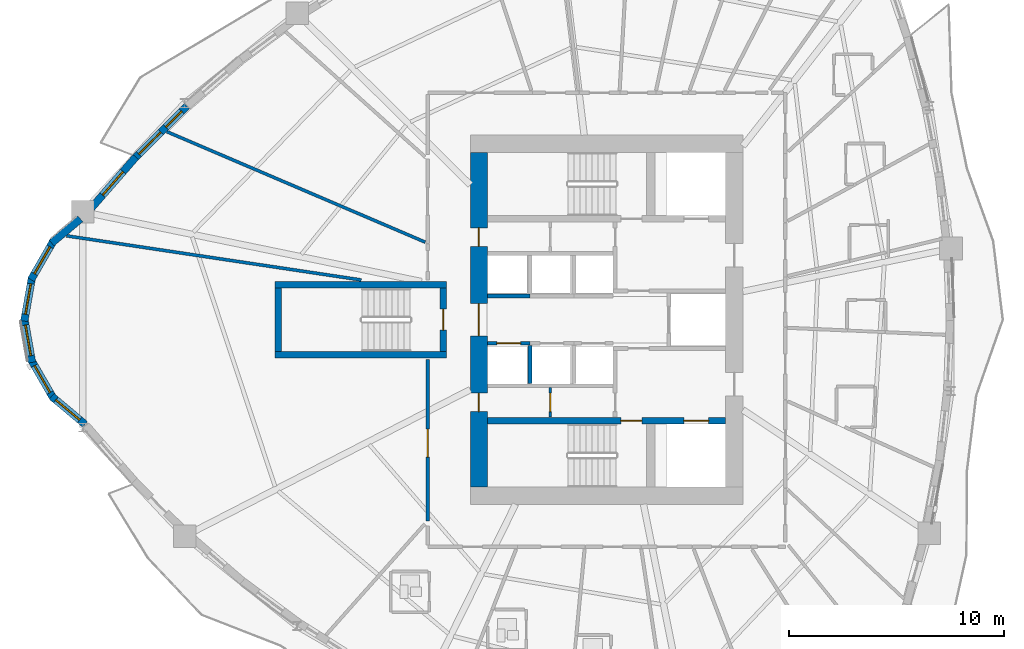
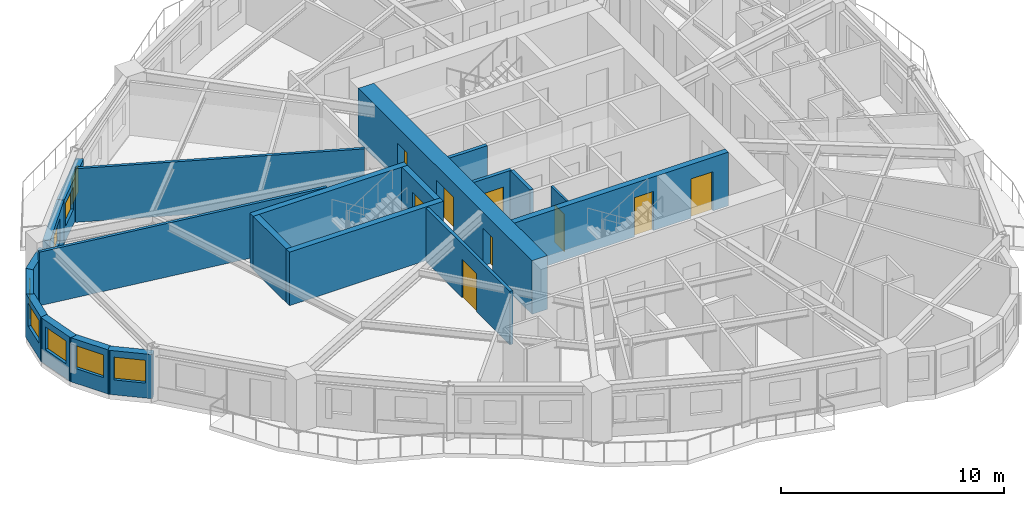
# One storey, part 4 of 14: 21 walls, 9 doors, 8 windows, 17 openings.
"""IFC4 building model written with IfcOpenShell, lengths in metres."""

from ifc_helpers import new_model, si_unit, direction, frame, frame_2d, origin, place, context, subcontext, project, spatial, rectangle, extrude, source, transform, mapped, material, layer, layer_set, type_object, element, fill, save


model = new_model("IFC4")

# Units and contexts
model_context = context("Model", 3, precision=1e-05, world=origin(), true_north=direction((0.0, 1.0)))
body_context = subcontext(model_context, "Body", "Model", "MODEL_VIEW")
ifc_project = project(units=[si_unit("LENGTHUNIT", "METRE"), si_unit("AREAUNIT", "SQUARE_METRE"), si_unit("VOLUMEUNIT", "CUBIC_METRE"), si_unit("PLANEANGLEUNIT", "RADIAN"), si_unit("MASSUNIT", "GRAM", prefix="KILO")], contexts=[model_context])

# Site, building, storey
site_placement = place(None, origin())
site = spatial("IfcSite", under=ifc_project, at=site_placement, CompositionType="ELEMENT")
building_placement = place(site_placement, origin())
building = spatial("IfcBuilding", under=site, at=building_placement, Name="Qafzar Sky-Pleat Residences", CompositionType="ELEMENT")
storey_placement = place(building_placement, frame((0.0, 0.0, 20.60009765625)))
storey = spatial("IfcBuildingStorey", under=building, at=storey_placement, Name="L05", CompositionType="ELEMENT", Elevation=20.60009765625)

# Wall, opening, door
ifc_material_1 = material(Name="Acoustic gypsum plasterboard partition", Category="gypsum")
ifc_layer_1 = layer(ifc_material_1, 0.159912109375)
ifc_layer_set_1 = layer_set([ifc_layer_1], Name="Acoustic gypsum plasterboard partition")
wall_type_1 = type_object("IfcWallType", Name="PART-COR-160", PredefinedType="PARTITIONING", material=ifc_layer_set_1)
wall_1_placement = place(storey_placement, frame((22.02001953125, 16.615966796875, 0.0), z_axis=(0.0, 0.0, 1.0), x_axis=(0.0, 1.0, 0.0)))
wall_1 = element("IfcWall", 1, at=wall_1_placement, inside=storey, type_object=wall_type_1, Name="L05 Partition Wall PART-L05-PW-001", PredefinedType="PARTITIONING", context=body_context, shape_type="SweptSolid", body=[
    extrude(rectangle(XDim=7.533935546875, YDim=0.159912109375, at=frame_2d((3.76708984375, 0.0))), origin(), (0.0, 0.0, 1.0), 2.93994140625),
])
opening_1_placement = place(wall_1_placement, frame((2.98046875, 0.0, 0.0)))
opening_1 = element("IfcOpeningElement", 2, at=opening_1_placement, cuts=wall_1, Name="Opening ID-05", PredefinedType="OPENING", context=body_context, shape_type="SweptSolid", body=[
    extrude(rectangle(XDim=1.300048828125, YDim=2.10009765625, at=frame_2d((0.64990234375, 1.050048828125))), frame((0.0, 0.08984375, 0.0), z_axis=(0.0, -1.0, 0.0), x_axis=(1.0, 0.0, 0.0)), (0.0, 0.0, 1.0), 0.179931640625),
])
ifc_material_2 = material(Name="Timber-faced fire door", Category="wood")
door_type_1 = type_object("IfcDoorType", Name="DR-LNG-1300", OperationType="DOUBLE_DOOR_SINGLE_SWING", PredefinedType="DOOR", material=ifc_material_2)
shared_shape_1 = source(origin(), body_context, "Body", "SweptSolid", [
    extrude(rectangle(XDim=1.300048828125, YDim=2.10009765625, at=frame_2d((0.64990234375, 1.050048828125))), frame((0.0, 0.02490234375, 0.0), z_axis=(0.0, -1.0, 0.0), x_axis=(1.0, 0.0, 0.0)), (0.0, 0.0, 1.0), 0.050048828125),
])
door_1_placement = place(opening_1_placement, origin())
door_1 = element("IfcDoor", 3, at=door_1_placement, inside=storey, type_object=door_type_1, Name="L05 Academic Seminar Room Door", OperationType="DOUBLE_DOOR_SINGLE_SWING", OverallHeight=2.10009765625, OverallWidth=1.300048828125, PredefinedType="DOOR", context=body_context, shape_type="MappedRepresentation", body=[
    mapped(shared_shape_1, transform((0.0, 0.0, 0.0), x_axis=(1.0, 0.0, 0.0), y_axis=(0.0, 1.0, 0.0), z_axis=(0.0, 0.0, 1.0), scale=1.0)),
])
fill(opening_1, door_1)

ifc_material_3 = material(Name="Concrete blockwork partition", Category="masonry")
ifc_layer_2 = layer(ifc_material_3, 0.179931640625)
ifc_layer_set_2 = layer_set([ifc_layer_2], Name="Concrete blockwork partition")
wall_type_2 = type_object("IfcWallType", Name="PART-SHAFT-180", PredefinedType="PARTITIONING", material=ifc_layer_set_2)
wall_2_placement = place(storey_placement, frame((24.81005859375, 24.89990234375, 0.0), z_axis=(0.0, 0.0, 1.0), x_axis=(1.0, 0.0, 0.0)))
wall_2 = element("IfcWall", 4, at=wall_2_placement, inside=storey, type_object=wall_type_2, Name="L05 Partition Wall PART-L05-P1-N", PredefinedType="PARTITIONING", context=body_context, shape_type="SweptSolid", body=[
    extrude(rectangle(XDim=1.96484375, YDim=0.179931640625, at=frame_2d((0.982421875, 0.0))), origin(), (0.0, 0.0, 1.0), 2.93994140625),
])
opening_2_placement = place(wall_2_placement, frame((0.4326171875, 0.0, 0.0)))
opening_2 = element("IfcOpeningElement", 5, at=opening_2_placement, cuts=wall_2, Name="Opening LD-01", PredefinedType="OPENING", context=body_context, shape_type="SweptSolid", body=[
    extrude(rectangle(XDim=1.10009765625, YDim=2.14990234375, at=frame_2d((0.550048828125, 1.074951171875))), frame((0.0, 0.10009765625, 0.0), z_axis=(0.0, -1.0, 0.0), x_axis=(1.0, 0.0, 0.0)), (0.0, 0.0, 1.0), 0.199951171875),
])
ifc_material_4 = material(Name="Stainless steel sliding landing door", Category="steel")
door_type_2 = type_object("IfcDoorType", Name="DR-LIFT-P", OperationType="DOUBLE_DOOR_SLIDING", PredefinedType="DOOR", material=ifc_material_4)
shared_shape_2 = source(origin(), body_context, "Body", "SweptSolid", [
    extrude(rectangle(XDim=1.10009765625, YDim=2.14990234375, at=frame_2d((0.550048828125, 1.074951171875))), frame((0.0, 0.02490234375, 0.0), z_axis=(0.0, -1.0, 0.0), x_axis=(1.0, 0.0, 0.0)), (0.0, 0.0, 1.0), 0.050048828125),
])
door_2_placement = place(opening_2_placement, origin())
door_2 = element("IfcDoor", 6, at=door_2_placement, inside=storey, type_object=door_type_2, Name="L05 Passenger Lift P1 Landing Door", OperationType="DOUBLE_DOOR_SLIDING", OverallHeight=2.14990234375, OverallWidth=1.10009765625, PredefinedType="DOOR", context=body_context, shape_type="MappedRepresentation", body=[
    mapped(shared_shape_2, transform((0.0, 0.0, 0.0), x_axis=(1.0, 0.0, 0.0), y_axis=(0.0, 1.0, 0.0), z_axis=(0.0, 0.0, 1.0), scale=1.0)),
])
fill(opening_2, door_2)

# Walls
wall_3_placement = place(storey_placement, frame((26.77490234375, 23.02001953125, 0.0), z_axis=(0.0, 0.0, 1.0), x_axis=(0.0, 1.0, 0.0)))
element("IfcWall", 7, at=wall_3_placement, inside=storey, type_object=wall_type_2, Name="L05 Partition Wall PART-L05-P13-DIV-1", PredefinedType="PARTITIONING", context=body_context, shape_type="SweptSolid", body=[
    extrude(rectangle(XDim=1.780029296875, YDim=0.179931640625, at=frame_2d((0.89013671875, 0.0))), origin(), (0.0, 0.0, 1.0), 2.93994140625),
])
wall_4_placement = place(storey_placement, frame((24.81005859375, 27.10009765625, 0.0), z_axis=(0.0, 0.0, 1.0), x_axis=(1.0, 0.0, 0.0)))
element("IfcWall", 8, at=wall_4_placement, inside=storey, type_object=wall_type_2, Name="L05 Partition Wall PART-L05-P4-S", PredefinedType="PARTITIONING", context=body_context, shape_type="SweptSolid", body=[
    extrude(rectangle(XDim=1.96484375, YDim=0.179931640625, at=frame_2d((0.982421875, 0.0))), origin(), (0.0, 0.0, 1.0), 2.93994140625),
])

# Wall, opening, door
ifc_material_5 = material(Name="Gypsum plasterboard partition", Category="gypsum")
ifc_layer_3 = layer(ifc_material_5, 0.114990234375)
ifc_layer_set_3 = layer_set([ifc_layer_3], Name="Gypsum plasterboard partition")
wall_type_3 = type_object("IfcWallType", Name="PART-SVC-115", PredefinedType="PARTITIONING", material=ifc_layer_set_3)
wall_5_placement = place(storey_placement, frame((27.72509765625, 21.4599609375, 0.0), z_axis=(0.0, 0.0, 1.0), x_axis=(0.0, 1.0, 0.0)))
wall_5 = element("IfcWall", 9, at=wall_5_placement, inside=storey, type_object=wall_type_3, Name="L05 Partition Wall PART-L05-KB-SW", PredefinedType="PARTITIONING", context=body_context, shape_type="SweptSolid", body=[
    extrude(rectangle(XDim=1.380126953125, YDim=0.114990234375, at=frame_2d((0.68994140625, 0.0))), origin(), (0.0, 0.0, 1.0), 2.93994140625),
])
opening_3_placement = place(wall_5_placement, frame((0.260009765625, 0.0, 0.0)))
opening_3 = element("IfcOpeningElement", 10, at=opening_3_placement, cuts=wall_5, Name="Opening ID-09", PredefinedType="OPENING", context=body_context, shape_type="SweptSolid", body=[
    extrude(rectangle(XDim=0.860107421875, YDim=2.050048828125, at=frame_2d((0.43017578125, 1.02490234375))), frame((0.0, 0.0673828125, 0.0), z_axis=(0.0, -1.0, 0.0), x_axis=(1.0, 0.0, 0.0)), (0.0, 0.0, 1.0), 0.135009765625),
])
door_type_3 = type_object("IfcDoorType", Name="DR-SVC-860", OperationType="NOTDEFINED", PredefinedType="DOOR", material=ifc_material_2)
shared_shape_3 = source(origin(), body_context, "Body", "SweptSolid", [
    extrude(rectangle(XDim=0.860107421875, YDim=2.050048828125, at=frame_2d((0.43017578125, 1.02490234375))), frame((0.0, 0.02490234375, 0.0), z_axis=(0.0, -1.0, 0.0), x_axis=(1.0, 0.0, 0.0)), (0.0, 0.0, 1.0), 0.050048828125),
])
door_3_placement = place(opening_3_placement, origin())
door_3 = element("IfcDoor", 11, at=door_3_placement, inside=storey, type_object=door_type_3, Name="L05 BMS Metering Cupboard Door", OperationType="SINGLE_SWING_RIGHT", OverallHeight=2.050048828125, OverallWidth=0.860107421875, PredefinedType="DOOR", context=body_context, shape_type="MappedRepresentation", body=[
    mapped(shared_shape_3, transform((0.0, 0.0, 0.0), x_axis=(1.0, 0.0, 0.0), y_axis=(0.0, 1.0, 0.0), z_axis=(0.0, 0.0, 1.0), scale=1.0)),
])
fill(opening_3, door_3)

# Walls
ifc_layer_4 = layer(ifc_material_1, 0.14501953125)
ifc_layer_set_4 = layer_set([ifc_layer_4], Name="Acoustic gypsum plasterboard partition")
wall_type_4 = type_object("IfcWallType", Name="PART-UNIT-145", PredefinedType="PARTITIONING", material=ifc_layer_set_4)
wall_6_placement = place(storey_placement, frame((5.18505859375, 29.908203125, 0.0), z_axis=(0.0, 0.0, 1.0), x_axis=(0.988958777333, -0.148190879394, 0.0)))
element("IfcWall", 12, at=wall_6_placement, inside=storey, type_object=wall_type_4, Name="L05 Partition Wall PART-L05-PW-034", PredefinedType="PARTITIONING", context=body_context, shape_type="SweptSolid", body=[
    extrude(rectangle(XDim=13.88818359375, YDim=0.14501953125, at=frame_2d((6.944091796875, 0.0))), origin(), (0.0, 0.0, 1.0), 2.93994140625),
])
wall_7_placement = place(storey_placement, frame((9.869140625, 34.7568359375, 0.0), z_axis=(0.0, 0.0, 1.0), x_axis=(0.919492001568, -0.393108711493, 0.0)))
element("IfcWall", 13, at=wall_7_placement, inside=storey, type_object=wall_type_4, Name="L05 Partition Wall PART-L05-PW-035", PredefinedType="PARTITIONING", context=body_context, shape_type="SweptSolid", body=[
    extrude(rectangle(XDim=13.088623046875, YDim=0.14501953125, at=frame_2d((6.54443359375, 0.0))), origin(), (0.0, 0.0, 1.0), 2.93994140625),
])
ifc_material_6 = material(Name="Precast concrete C40/50 with honed Riyadh limestone", Category="concrete")
ifc_layer_5 = layer(ifc_material_6, 0.35009765625)
ifc_layer_set_5 = layer_set([ifc_layer_5], Name="Precast concrete C40/50 with honed Riyadh limestone")
wall_type_5 = type_object("IfcWallType", Name="WALL-EXT-350", PredefinedType="SOLIDWALL", material=ifc_layer_set_5)
wall_8_placement = place(storey_placement, frame((5.837646484375, 30.696044921875, 0.0), z_axis=(0.0, 0.0, 1.0), x_axis=(-0.766001205563, -0.64283913468, 0.0)))
element("IfcWall", 14, at=wall_8_placement, inside=storey, type_object=wall_type_5, Name="L05 Limestone Facade Wall 1", PredefinedType="SOLIDWALL", context=body_context, shape_type="SweptSolid", body=[
    extrude(rectangle(XDim=1.75244140625, YDim=0.35009765625, at=frame_2d((0.876220703125, 0.0))), origin(), (0.0, 0.0, 1.0), 2.419921875),
])

# Wall, opening, window
wall_9_placement = place(storey_placement, frame((4.58251953125, 29.673583984375, 0.0), z_axis=(0.0, 0.0, 1.0), x_axis=(-0.499995423472, -0.866028046028, 0.0)))
wall_9 = element("IfcWall", 15, at=wall_9_placement, inside=storey, type_object=wall_type_5, Name="L05 Limestone Facade Wall 2", PredefinedType="SOLIDWALL", context=body_context, shape_type="SweptSolid", body=[
    extrude(rectangle(XDim=2.09033203125, YDim=0.35009765625, at=frame_2d((1.045166015625, 0.0))), origin(), (0.0, 0.0, 1.0), 2.419921875),
])
opening_4_placement = place(wall_9_placement, frame((0.3203125, 0.0, 0.820068359375)))
opening_4 = element("IfcOpeningElement", 16, at=opening_4_placement, cuts=wall_9, Name="Opening WN-15", PredefinedType="OPENING", context=body_context, shape_type="SweptSolid", body=[
    extrude(rectangle(XDim=1.449951171875, YDim=1.25, at=frame_2d((0.72509765625, 0.625))), frame((0.0, 0.18505859375, 0.0), z_axis=(0.0, -1.0, 0.0), x_axis=(1.0, 0.0, 0.0)), (0.0, 0.0, 1.0), 0.3701171875),
])
ifc_material_7 = material(Name="Solar-control low-E glass in bronze aluminium frame", Category="glass")
window_type_1 = type_object("IfcWindowType", Name="WIN-15", PartitioningType="SINGLE_PANEL", PredefinedType="WINDOW", material=ifc_material_7)
shared_shape_4 = source(origin(), body_context, "Body", "SweptSolid", [
    extrude(rectangle(XDim=1.449951171875, YDim=1.25, at=frame_2d((0.72509765625, 0.625))), frame((0.0, 0.030029296875, 0.0), z_axis=(0.0, -1.0, 0.0), x_axis=(1.0, 0.0, 0.0)), (0.0, 0.0, 1.0), 0.06005859375),
])
window_1_placement = place(opening_4_placement, origin())
window_1 = element("IfcWindow", 17, at=window_1_placement, inside=storey, type_object=window_type_1, Name="L05 Punched Facade Window 02", OverallHeight=1.25, OverallWidth=1.449951171875, PartitioningType="SINGLE_PANEL", PredefinedType="WINDOW", context=body_context, shape_type="MappedRepresentation", body=[
    mapped(shared_shape_4, transform((0.0, 0.0, 0.0), x_axis=(1.0, 0.0, 0.0), y_axis=(0.0, 1.0, 0.0), z_axis=(0.0, 0.0, 1.0), scale=1.0)),
])
fill(opening_4, window_1)

wall_10_placement = place(storey_placement, frame((3.583740234375, 27.99072265625, 0.0), z_axis=(0.0, 0.0, 1.0), x_axis=(-0.173672066494, -0.984803540469, 0.0)))
wall_10 = element("IfcWall", 18, at=wall_10_placement, inside=storey, type_object=wall_type_5, Name="L05 Limestone Facade Wall 3", PredefinedType="SOLIDWALL", context=body_context, shape_type="SweptSolid", body=[
    extrude(rectangle(XDim=2.09033203125, YDim=0.35009765625, at=frame_2d((1.045166015625, 0.0))), origin(), (0.0, 0.0, 1.0), 2.419921875),
])
opening_5_placement = place(wall_10_placement, frame((0.3203125, 0.0, 0.820068359375)))
opening_5 = element("IfcOpeningElement", 19, at=opening_5_placement, cuts=wall_10, Name="Opening WN-15", PredefinedType="OPENING", context=body_context, shape_type="SweptSolid", body=[
    extrude(rectangle(XDim=1.449951171875, YDim=1.25, at=frame_2d((0.72509765625, 0.625))), frame((0.0, 0.18505859375, 0.0), z_axis=(0.0, -1.0, 0.0), x_axis=(1.0, 0.0, 0.0)), (0.0, 0.0, 1.0), 0.3701171875),
])
window_2_placement = place(opening_5_placement, origin())
window_2 = element("IfcWindow", 20, at=window_2_placement, inside=storey, type_object=window_type_1, Name="L05 Punched Facade Window 03", OverallHeight=1.25, OverallWidth=1.449951171875, PartitioningType="SINGLE_PANEL", PredefinedType="WINDOW", context=body_context, shape_type="MappedRepresentation", body=[
    mapped(shared_shape_4, transform((0.0, 0.0, 0.0), x_axis=(1.0, 0.0, 0.0), y_axis=(0.0, 1.0, 0.0), z_axis=(0.0, 0.0, 1.0), scale=1.0)),
])
fill(opening_5, window_2)

wall_11_placement = place(storey_placement, frame((3.220703125, 26.06787109375, 0.0), z_axis=(0.0, 0.0, 1.0), x_axis=(0.173672066494, -0.984803540469, 0.0)))
wall_11 = element("IfcWall", 21, at=wall_11_placement, inside=storey, type_object=wall_type_5, Name="L05 Limestone Facade Wall 4", PredefinedType="SOLIDWALL", context=body_context, shape_type="SweptSolid", body=[
    extrude(rectangle(XDim=2.09033203125, YDim=0.35009765625, at=frame_2d((1.045166015625, 0.0))), origin(), (0.0, 0.0, 1.0), 2.419921875),
])
opening_6_placement = place(wall_11_placement, frame((0.3203125, 0.0, 0.820068359375)))
opening_6 = element("IfcOpeningElement", 22, at=opening_6_placement, cuts=wall_11, Name="Opening WN-15", PredefinedType="OPENING", context=body_context, shape_type="SweptSolid", body=[
    extrude(rectangle(XDim=1.449951171875, YDim=1.25, at=frame_2d((0.72509765625, 0.625))), frame((0.0, 0.18505859375, 0.0), z_axis=(0.0, -1.0, 0.0), x_axis=(1.0, 0.0, 0.0)), (0.0, 0.0, 1.0), 0.3701171875),
])
window_3_placement = place(opening_6_placement, origin())
window_3 = element("IfcWindow", 23, at=window_3_placement, inside=storey, type_object=window_type_1, Name="L05 Punched Facade Window 04", OverallHeight=1.25, OverallWidth=1.449951171875, PartitioningType="SINGLE_PANEL", PredefinedType="WINDOW", context=body_context, shape_type="MappedRepresentation", body=[
    mapped(shared_shape_4, transform((0.0, 0.0, 0.0), x_axis=(1.0, 0.0, 0.0), y_axis=(0.0, 1.0, 0.0), z_axis=(0.0, 0.0, 1.0), scale=1.0)),
])
fill(opening_6, window_3)

wall_12_placement = place(storey_placement, frame((3.537353515625, 24.13671875, 0.0), z_axis=(0.0, 0.0, 1.0), x_axis=(0.499995423472, -0.866028046028, 0.0)))
wall_12 = element("IfcWall", 24, at=wall_12_placement, inside=storey, type_object=wall_type_5, Name="L05 Limestone Facade Wall 5", PredefinedType="SOLIDWALL", context=body_context, shape_type="SweptSolid", body=[
    extrude(rectangle(XDim=2.09033203125, YDim=0.35009765625, at=frame_2d((1.045166015625, 0.0))), origin(), (0.0, 0.0, 1.0), 2.419921875),
])
opening_7_placement = place(wall_12_placement, frame((0.3203125, 0.0, 0.820068359375)))
opening_7 = element("IfcOpeningElement", 25, at=opening_7_placement, cuts=wall_12, Name="Opening WN-15", PredefinedType="OPENING", context=body_context, shape_type="SweptSolid", body=[
    extrude(rectangle(XDim=1.449951171875, YDim=1.25, at=frame_2d((0.72509765625, 0.625))), frame((0.0, 0.18505859375, 0.0), z_axis=(0.0, -1.0, 0.0), x_axis=(1.0, 0.0, 0.0)), (0.0, 0.0, 1.0), 0.3701171875),
])
window_4_placement = place(opening_7_placement, origin())
window_4 = element("IfcWindow", 26, at=window_4_placement, inside=storey, type_object=window_type_1, Name="L05 Punched Facade Window 05", OverallHeight=1.25, OverallWidth=1.449951171875, PartitioningType="SINGLE_PANEL", PredefinedType="WINDOW", context=body_context, shape_type="MappedRepresentation", body=[
    mapped(shared_shape_4, transform((0.0, 0.0, 0.0), x_axis=(1.0, 0.0, 0.0), y_axis=(0.0, 1.0, 0.0), z_axis=(0.0, 0.0, 1.0), scale=1.0)),
])
fill(opening_7, window_4)

wall_13_placement = place(storey_placement, frame((4.495361328125, 22.430419921875, 0.0), z_axis=(0.0, 0.0, 1.0), x_axis=(0.766040796373, -0.642791955684, 0.0)))
wall_13 = element("IfcWall", 27, at=wall_13_placement, inside=storey, type_object=wall_type_5, Name="L05 Limestone Facade Wall 6", PredefinedType="SOLIDWALL", context=body_context, shape_type="SweptSolid", body=[
    extrude(rectangle(XDim=2.032470703125, YDim=0.35009765625, at=frame_2d((1.01611328125, 0.0))), origin(), (0.0, 0.0, 1.0), 2.419921875),
])
opening_8_placement = place(wall_13_placement, frame((0.26123046875, 0.0, 0.820068359375)))
opening_8 = element("IfcOpeningElement", 28, at=opening_8_placement, cuts=wall_13, Name="Opening WN-15", PredefinedType="OPENING", context=body_context, shape_type="SweptSolid", body=[
    extrude(rectangle(XDim=1.449951171875, YDim=1.25, at=frame_2d((0.72509765625, 0.625))), frame((0.0, 0.18505859375, 0.0), z_axis=(0.0, -1.0, 0.0), x_axis=(1.0, 0.0, 0.0)), (0.0, 0.0, 1.0), 0.3701171875),
])
window_5_placement = place(opening_8_placement, origin())
window_5 = element("IfcWindow", 29, at=window_5_placement, inside=storey, type_object=window_type_1, Name="L05 Punched Facade Window 06", OverallHeight=1.25, OverallWidth=1.449951171875, PartitioningType="SINGLE_PANEL", PredefinedType="WINDOW", context=body_context, shape_type="MappedRepresentation", body=[
    mapped(shared_shape_4, transform((0.0, 0.0, 0.0), x_axis=(1.0, 0.0, 0.0), y_axis=(0.0, 1.0, 0.0), z_axis=(0.0, 0.0, 1.0), scale=1.0)),
])
fill(opening_8, window_5)

# Wall, openings, windows
wall_14_placement = place(storey_placement, frame((10.7998046875, 35.947021484375, 0.0), z_axis=(0.0, 0.0, 1.0), x_axis=(-0.708379570295, -0.705831696928, 0.0)))
wall_14 = element("IfcWall", 30, at=wall_14_placement, inside=storey, type_object=wall_type_5, Name="L05 Limestone Facade Wall 47", PredefinedType="SOLIDWALL", context=body_context, shape_type="SweptSolid", body=[
    extrude(rectangle(XDim=3.449462890625, YDim=0.35009765625, at=frame_2d((1.724609375, 0.0))), origin(), (0.0, 0.0, 1.0), 2.419921875),
])
opening_9_placement = place(wall_14_placement, frame((0.338623046875, 0.0, 0.820068359375)))
opening_9 = element("IfcOpeningElement", 31, at=opening_9_placement, cuts=wall_14, Name="Opening WN-06", PredefinedType="OPENING", context=body_context, shape_type="SweptSolid", body=[
    extrude(rectangle(XDim=1.050048828125, YDim=1.449951171875, at=frame_2d((0.52490234375, 0.72509765625))), frame((0.0, 0.18505859375, 0.0), z_axis=(0.0, -1.0, 0.0), x_axis=(1.0, 0.0, 0.0)), (0.0, 0.0, 1.0), 0.3701171875),
])
opening_10_placement = place(wall_14_placement, frame((1.71337890625, 0.0, 0.820068359375)))
opening_10 = element("IfcOpeningElement", 32, at=opening_10_placement, cuts=wall_14, Name="Opening WN-15", PredefinedType="OPENING", context=body_context, shape_type="SweptSolid", body=[
    extrude(rectangle(XDim=1.449951171875, YDim=1.25, at=frame_2d((0.72509765625, 0.625))), frame((0.0, 0.18505859375, 0.0), z_axis=(0.0, -1.0, 0.0), x_axis=(1.0, 0.0, 0.0)), (0.0, 0.0, 1.0), 0.3701171875),
])
window_6_placement = place(opening_10_placement, origin())
window_6 = element("IfcWindow", 33, at=window_6_placement, inside=storey, type_object=window_type_1, Name="L05 Punched Facade Window 47-2", OverallHeight=1.25, OverallWidth=1.449951171875, PartitioningType="SINGLE_PANEL", PredefinedType="WINDOW", context=body_context, shape_type="MappedRepresentation", body=[
    mapped(shared_shape_4, transform((0.0, 0.0, 0.0), x_axis=(1.0, 0.0, 0.0), y_axis=(0.0, 1.0, 0.0), z_axis=(0.0, 0.0, 1.0), scale=1.0)),
])
fill(opening_10, window_6)
window_type_2 = type_object("IfcWindowType", Name="WIN-06", PartitioningType="SINGLE_PANEL", PredefinedType="WINDOW", material=ifc_material_7)
shared_shape_5 = source(origin(), body_context, "Body", "SweptSolid", [
    extrude(rectangle(XDim=1.050048828125, YDim=1.449951171875, at=frame_2d((0.52490234375, 0.72509765625))), frame((0.0, 0.030029296875, 0.0), z_axis=(0.0, -1.0, 0.0), x_axis=(1.0, 0.0, 0.0)), (0.0, 0.0, 1.0), 0.06005859375),
])
window_7_placement = place(opening_9_placement, origin())
window_7 = element("IfcWindow", 34, at=window_7_placement, inside=storey, type_object=window_type_2, Name="L05 Punched Facade Window 47", OverallHeight=1.449951171875, OverallWidth=1.050048828125, PartitioningType="SINGLE_PANEL", PredefinedType="WINDOW", context=body_context, shape_type="MappedRepresentation", body=[
    mapped(shared_shape_5, transform((0.0, 0.0, 0.0), x_axis=(1.0, 0.0, 0.0), y_axis=(0.0, 1.0, 0.0), z_axis=(0.0, 0.0, 1.0), scale=1.0)),
])
fill(opening_9, window_7)

# Wall, opening, window
wall_15_placement = place(storey_placement, frame((8.41650390625, 33.57666015625, 0.0), z_axis=(0.0, 0.0, 1.0), x_axis=(-0.657597964565, -0.75336904436, 0.0)))
wall_15 = element("IfcWall", 35, at=wall_15_placement, inside=storey, type_object=wall_type_5, Name="L05 Limestone Facade Wall 48", PredefinedType="SOLIDWALL", context=body_context, shape_type="SweptSolid", body=[
    extrude(rectangle(XDim=3.24267578125, YDim=0.35009765625, at=frame_2d((1.621337890625, 0.0))), origin(), (0.0, 0.0, 1.0), 2.419921875),
])
opening_11_placement = place(wall_15_placement, frame((0.9013671875, 0.0, 0.820068359375)))
opening_11 = element("IfcOpeningElement", 36, at=opening_11_placement, cuts=wall_15, Name="Opening WN-15", PredefinedType="OPENING", context=body_context, shape_type="SweptSolid", body=[
    extrude(rectangle(XDim=1.449951171875, YDim=1.25, at=frame_2d((0.72509765625, 0.625))), frame((0.0, 0.18505859375, 0.0), z_axis=(0.0, -1.0, 0.0), x_axis=(1.0, 0.0, 0.0)), (0.0, 0.0, 1.0), 0.3701171875),
])
window_8_placement = place(opening_11_placement, origin())
window_8 = element("IfcWindow", 37, at=window_8_placement, inside=storey, type_object=window_type_1, Name="L05 Punched Facade Window 48", OverallHeight=1.25, OverallWidth=1.449951171875, PartitioningType="SINGLE_PANEL", PredefinedType="WINDOW", context=body_context, shape_type="MappedRepresentation", body=[
    mapped(shared_shape_4, transform((0.0, 0.0, 0.0), x_axis=(1.0, 0.0, 0.0), y_axis=(0.0, 1.0, 0.0), z_axis=(0.0, 0.0, 1.0), scale=1.0)),
])
fill(opening_11, window_8)

# Wall, openings, doors
ifc_material_8 = material(Name="Concrete C60/75", Category="concrete")
ifc_layer_6 = layer(ifc_material_8, 0.300048828125)
ifc_layer_set_6 = layer_set([ifc_layer_6], Name="Concrete C60/75")
wall_type_6 = type_object("IfcWallType", Name="WALL-SHEAR-300", PredefinedType="SHEAR", material=ifc_layer_set_6)
wall_16_placement = place(storey_placement, frame((24.800048828125, 21.300048828125, 0.0), z_axis=(0.0, 0.0, 1.0), x_axis=(1.0, 0.0, 0.0)))
wall_16 = element("IfcWall", 38, at=wall_16_placement, inside=storey, type_object=wall_type_6, Name="L05 Stair ST1 and FF1 Shaft North Wall", PredefinedType="SHEAR", context=body_context, shape_type="SweptSolid", body=[
    extrude(rectangle(XDim=11.099853515625, YDim=0.300048828125, at=frame_2d((5.5498046875, 0.0))), origin(), (0.0, 0.0, 1.0), 2.93994140625),
])
opening_12_placement = place(wall_16_placement, frame((6.219970703125, 0.0, 0.0)))
opening_12 = element("IfcOpeningElement", 39, at=opening_12_placement, cuts=wall_16, Name="Opening ID-01", PredefinedType="OPENING", context=body_context, shape_type="SweptSolid", body=[
    extrude(rectangle(XDim=0.97998046875, YDim=2.14990234375, at=frame_2d((0.489990234375, 1.074951171875))), frame((0.0, 0.16015625, 0.0), z_axis=(0.0, -1.0, 0.0), x_axis=(1.0, 0.0, 0.0)), (0.0, 0.0, 1.0), 0.320068359375),
])
opening_13_placement = place(wall_16_placement, frame((9.14990234375, 0.0, 0.0)))
opening_13 = element("IfcOpeningElement", 40, at=opening_13_placement, cuts=wall_16, Name="Opening LD-02", PredefinedType="OPENING", context=body_context, shape_type="SweptSolid", body=[
    extrude(rectangle(XDim=1.14990234375, YDim=2.14990234375, at=frame_2d((0.574951171875, 1.074951171875))), frame((0.0, 0.16015625, 0.0), z_axis=(0.0, -1.0, 0.0), x_axis=(1.0, 0.0, 0.0)), (0.0, 0.0, 1.0), 0.320068359375),
])
door_type_4 = type_object("IfcDoorType", Name="DR-STAIR-980", OperationType="NOTDEFINED", PredefinedType="DOOR", material=ifc_material_2)
shared_shape_6 = source(origin(), body_context, "Body", "SweptSolid", [
    extrude(rectangle(XDim=0.97998046875, YDim=2.14990234375, at=frame_2d((0.489990234375, 1.074951171875))), frame((0.0, 0.02490234375, 0.0), z_axis=(0.0, -1.0, 0.0), x_axis=(1.0, 0.0, 0.0)), (0.0, 0.0, 1.0), 0.050048828125),
])
door_4_placement = place(opening_12_placement, origin())
door_4 = element("IfcDoor", 41, at=door_4_placement, inside=storey, type_object=door_type_4, Name="L05 Stair ST1 Fire Door", OperationType="SINGLE_SWING_LEFT", OverallHeight=2.14990234375, OverallWidth=0.97998046875, PredefinedType="DOOR", context=body_context, shape_type="MappedRepresentation", body=[
    mapped(shared_shape_6, transform((0.0, 0.0, 0.0), x_axis=(1.0, 0.0, 0.0), y_axis=(0.0, 1.0, 0.0), z_axis=(0.0, 0.0, 1.0), scale=1.0)),
])
fill(opening_12, door_4)
door_type_5 = type_object("IfcDoorType", Name="DR-LIFT-FF", OperationType="DOUBLE_DOOR_SLIDING", PredefinedType="DOOR", material=ifc_material_4)
shared_shape_7 = source(origin(), body_context, "Body", "SweptSolid", [
    extrude(rectangle(XDim=1.14990234375, YDim=2.14990234375, at=frame_2d((0.574951171875, 1.074951171875))), frame((0.0, 0.02490234375, 0.0), z_axis=(0.0, -1.0, 0.0), x_axis=(1.0, 0.0, 0.0)), (0.0, 0.0, 1.0), 0.050048828125),
])
door_5_placement = place(opening_13_placement, origin())
door_5 = element("IfcDoor", 42, at=door_5_placement, inside=storey, type_object=door_type_5, Name="L05 Firefighting Lift FF1 Landing Door", OperationType="DOUBLE_DOOR_SLIDING", OverallHeight=2.14990234375, OverallWidth=1.14990234375, PredefinedType="DOOR", context=body_context, shape_type="MappedRepresentation", body=[
    mapped(shared_shape_7, transform((0.0, 0.0, 0.0), x_axis=(1.0, 0.0, 0.0), y_axis=(0.0, 1.0, 0.0), z_axis=(0.0, 0.0, 1.0), scale=1.0)),
])
fill(opening_13, door_5)

# Walls
for number, where, z_axis, x_axis, name in (
    (43, (14.89990234375, 24.375, 0.0), (0.0, 0.0, 1.0), (1.0, 0.0, 0.0), "L05 ST3 wall S"),
    (44, (22.89990234375, 27.625, 0.0), (0.0, 0.0, 1.0), (-1.0, 0.0, 0.0), "L05 ST3 wall N"),
):
    element("IfcWall", number, at=place(storey_placement, frame(where, z_axis=z_axis, x_axis=x_axis)), inside=storey, type_object=wall_type_6, Name=name, PredefinedType="SHEAR", context=body_context, shape_type="SweptSolid", body=[
        extrude(rectangle(XDim=8.0, YDim=0.300048828125, at=frame_2d((4.0, 0.0))), origin(), (0.0, 0.0, 1.0), 2.93994140625),
    ])
wall_17_placement = place(storey_placement, frame((15.050048828125, 27.47509765625, 0.0), z_axis=(0.0, 0.0, 1.0), x_axis=(0.0, -1.0, 0.0)))
element("IfcWall", 45, at=wall_17_placement, inside=storey, type_object=wall_type_6, Name="L05 ST3 wall W", PredefinedType="SHEAR", context=body_context, shape_type="SweptSolid", body=[
    extrude(rectangle(XDim=2.9501953125, YDim=0.300048828125, at=frame_2d((1.47509765625, 0.0))), origin(), (0.0, 0.0, 1.0), 2.93994140625),
])

# Wall, opening, door
wall_18_placement = place(storey_placement, frame((22.75, 24.52490234375, 0.0), z_axis=(0.0, 0.0, 1.0), x_axis=(0.0, 1.0, 0.0)))
wall_18 = element("IfcWall", 46, at=wall_18_placement, inside=storey, type_object=wall_type_6, Name="L05 ST3 wall E", PredefinedType="SHEAR", context=body_context, shape_type="SweptSolid", body=[
    extrude(rectangle(XDim=2.9501953125, YDim=0.300048828125, at=frame_2d((1.47509765625, 0.0))), origin(), (0.0, 0.0, 1.0), 2.93994140625),
])
opening_14_placement = place(wall_18_placement, frame((0.985107421875, 0.0, 0.0)))
opening_14 = element("IfcOpeningElement", 47, at=opening_14_placement, cuts=wall_18, Name="Opening ID-01", PredefinedType="OPENING", context=body_context, shape_type="SweptSolid", body=[
    extrude(rectangle(XDim=0.97998046875, YDim=2.14990234375, at=frame_2d((0.489990234375, 1.074951171875))), frame((0.0, 0.16015625, 0.0), z_axis=(0.0, -1.0, 0.0), x_axis=(1.0, 0.0, 0.0)), (0.0, 0.0, 1.0), 0.320068359375),
])
door_6_placement = place(opening_14_placement, origin())
door_6 = element("IfcDoor", 48, at=door_6_placement, inside=storey, type_object=door_type_4, Name="L05 Stair ST3 Fire Door", OperationType="SINGLE_SWING_LEFT", OverallHeight=2.14990234375, OverallWidth=0.97998046875, PredefinedType="DOOR", context=body_context, shape_type="MappedRepresentation", body=[
    mapped(shared_shape_6, transform((0.0, 0.0, 0.0), x_axis=(1.0, 0.0, 0.0), y_axis=(0.0, 1.0, 0.0), z_axis=(0.0, 0.0, 1.0), scale=1.0)),
])
fill(opening_14, door_6)

# Wall, openings, doors
ifc_layer_7 = layer(ifc_material_8, 0.800048828125)
ifc_layer_set_7 = layer_set([ifc_layer_7], Name="Concrete C60/75")
wall_type_7 = type_object("IfcWallType", Name="WALL-SHEAR-800", PredefinedType="SHEAR", material=ifc_layer_set_7)
wall_19_placement = place(storey_placement, frame((24.39990234375, 33.800048828125, 0.0), z_axis=(0.0, 0.0, 1.0), x_axis=(0.0, -1.0, 0.0)))
wall_19 = element("IfcWall", 49, at=wall_19_placement, inside=storey, type_object=wall_type_7, Name="L05 CORE wall W", PredefinedType="SHEAR", context=body_context, shape_type="SweptSolid", body=[
    extrude(rectangle(XDim=15.60009765625, YDim=0.800048828125, at=frame_2d((7.800048828125, 0.0))), origin(), (0.0, 0.0, 1.0), 2.93994140625),
])
opening_15_placement = place(wall_19_placement, frame((7.050048828125, 0.0, 0.0)))
opening_15 = element("IfcOpeningElement", 50, at=opening_15_placement, cuts=wall_19, Name="Opening ID-03", PredefinedType="OPENING", context=body_context, shape_type="SweptSolid", body=[
    extrude(rectangle(XDim=1.5, YDim=2.14990234375, at=frame_2d((0.75, 1.074951171875))), frame((0.0, 0.41015625, 0.0), z_axis=(0.0, -1.0, 0.0), x_axis=(1.0, 0.0, 0.0)), (0.0, 0.0, 1.0), 0.820068359375),
])
opening_16_placement = place(wall_19_placement, frame((3.52001953125, 0.0, 0.0)))
opening_16 = element("IfcOpeningElement", 51, at=opening_16_placement, cuts=wall_19, Name="Opening ID-09", PredefinedType="OPENING", context=body_context, shape_type="SweptSolid", body=[
    extrude(rectangle(XDim=0.860107421875, YDim=2.050048828125, at=frame_2d((0.43017578125, 1.02490234375))), frame((0.0, 0.41015625, 0.0), z_axis=(0.0, -1.0, 0.0), x_axis=(1.0, 0.0, 0.0)), (0.0, 0.0, 1.0), 0.820068359375),
])
opening_17_placement = place(wall_19_placement, frame((11.219970703125, 0.0, 0.0)))
opening_17 = element("IfcOpeningElement", 52, at=opening_17_placement, cuts=wall_19, Name="Opening ID-09", PredefinedType="OPENING", context=body_context, shape_type="SweptSolid", body=[
    extrude(rectangle(XDim=0.860107421875, YDim=2.050048828125, at=frame_2d((0.43017578125, 1.02490234375))), frame((0.0, 0.41015625, 0.0), z_axis=(0.0, -1.0, 0.0), x_axis=(1.0, 0.0, 0.0)), (0.0, 0.0, 1.0), 0.820068359375),
])
door_type_6 = type_object("IfcDoorType", Name="DR-COR-1500", OperationType="DOUBLE_DOOR_SINGLE_SWING", PredefinedType="DOOR", material=ifc_material_2)
shared_shape_8 = source(origin(), body_context, "Body", "SweptSolid", [
    extrude(rectangle(XDim=1.5, YDim=2.14990234375, at=frame_2d((0.75, 1.074951171875))), frame((0.0, 0.02490234375, 0.0), z_axis=(0.0, -1.0, 0.0), x_axis=(1.0, 0.0, 0.0)), (0.0, 0.0, 1.0), 0.050048828125),
])
door_7_placement = place(opening_15_placement, origin())
door_7 = element("IfcDoor", 53, at=door_7_placement, inside=storey, type_object=door_type_6, Name="L05 Lift Lobby West Double Door", OperationType="DOUBLE_DOOR_SINGLE_SWING", OverallHeight=2.14990234375, OverallWidth=1.5, PredefinedType="DOOR", context=body_context, shape_type="MappedRepresentation", body=[
    mapped(shared_shape_8, transform((0.0, 0.0, 0.0), x_axis=(1.0, 0.0, 0.0), y_axis=(0.0, 1.0, 0.0), z_axis=(0.0, 0.0, 1.0), scale=1.0)),
])
fill(opening_15, door_7)
door_8_placement = place(opening_16_placement, origin())
door_8 = element("IfcDoor", 54, at=door_8_placement, inside=storey, type_object=door_type_3, Name="L05 Core North-West Service Door", OperationType="SINGLE_SWING_RIGHT", OverallHeight=2.050048828125, OverallWidth=0.860107421875, PredefinedType="DOOR", context=body_context, shape_type="MappedRepresentation", body=[
    mapped(shared_shape_3, transform((0.0, 0.0, 0.0), x_axis=(1.0, 0.0, 0.0), y_axis=(0.0, 1.0, 0.0), z_axis=(0.0, 0.0, 1.0), scale=1.0)),
])
fill(opening_16, door_8)
door_9_placement = place(opening_17_placement, origin())
door_9 = element("IfcDoor", 55, at=door_9_placement, inside=storey, type_object=door_type_3, Name="L05 Core South-West Service Door", OperationType="SINGLE_SWING_LEFT", OverallHeight=2.050048828125, OverallWidth=0.860107421875, PredefinedType="DOOR", context=body_context, shape_type="MappedRepresentation", body=[
    mapped(shared_shape_3, transform((0.0, 0.0, 0.0), x_axis=(1.0, 0.0, 0.0), y_axis=(0.0, 1.0, 0.0), z_axis=(0.0, 0.0, 1.0), scale=1.0)),
])
fill(opening_17, door_9)

save(model, "model.ifc")
